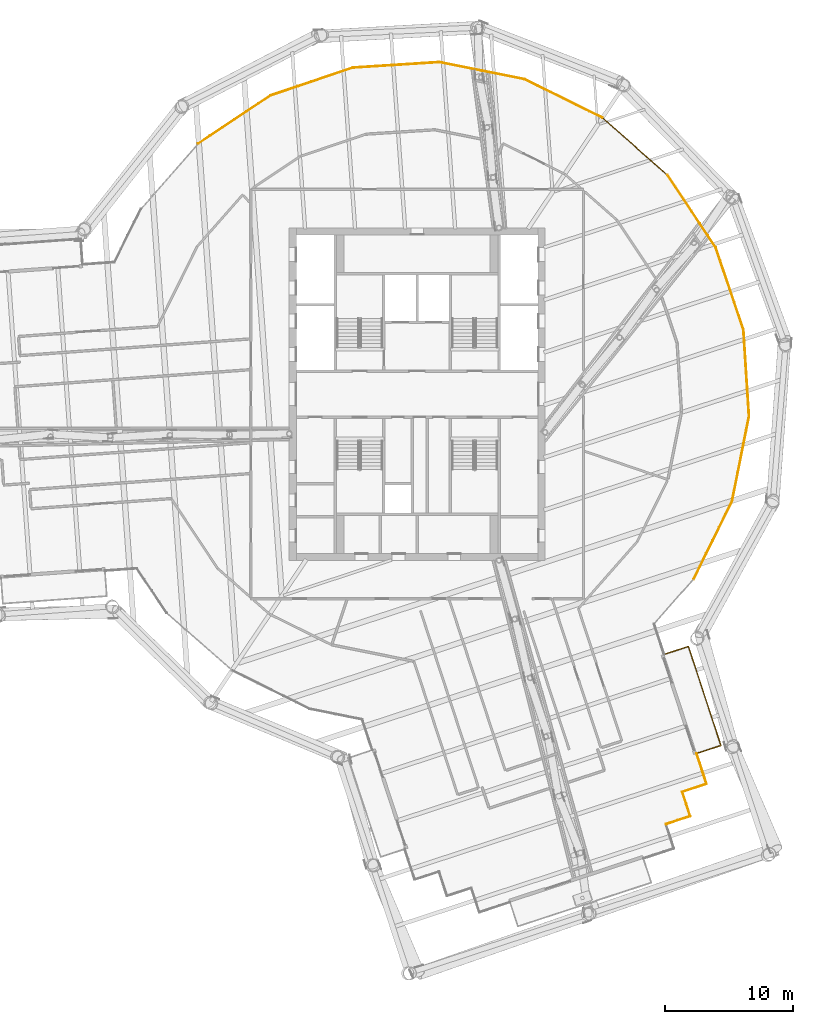
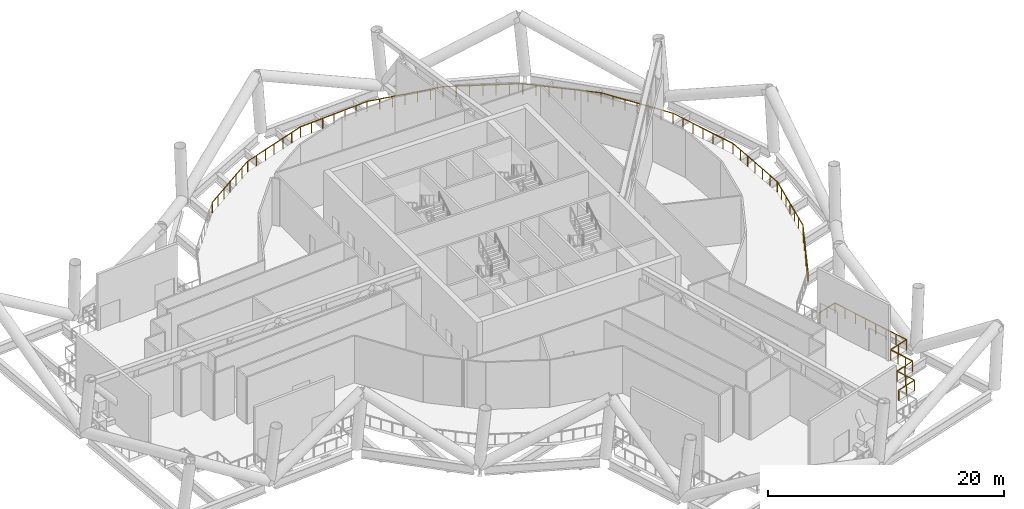
# One storey, part 32 of 33: 16 railings.
"""IFC4 building model written with IfcOpenShell, lengths in metres."""

from ifc_helpers import new_model, si_unit, direction, frame, origin, origin_2d, place, context, subcontext, project, spatial, circle, extrude, material, type_object, element, save


model = new_model("IFC4")

# Units and contexts
model_context = context("Model", 3, precision=1e-05, world=origin(), true_north=direction((0.0, 1.0)))
body_context = subcontext(model_context, "Body", "Model", "MODEL_VIEW")
ifc_project = project(units=[si_unit("LENGTHUNIT", "METRE"), si_unit("AREAUNIT", "SQUARE_METRE"), si_unit("VOLUMEUNIT", "CUBIC_METRE"), si_unit("PLANEANGLEUNIT", "RADIAN"), si_unit("MASSUNIT", "GRAM", prefix="KILO")], contexts=[model_context])

# Site, building, storey
site_placement = place(None, origin())
site = spatial("IfcSite", under=ifc_project, at=site_placement, CompositionType="ELEMENT")
building_placement = place(site_placement, origin())
building = spatial("IfcBuilding", under=site, at=building_placement, Name="Tarsis Ring Headquarters", CompositionType="ELEMENT")
storey_placement = place(building_placement, frame((0.0, 0.0, 302.0)))
storey = spatial("IfcBuildingStorey", under=building, at=storey_placement, Name="L71", CompositionType="ELEMENT", Elevation=302.0)

# Railings
ifc_material = material(Name="Stainless steel guard", Category="steel")
railing_type_1 = type_object("IfcRailingType", Name="Balcony balustrade with mesh infill 1100", PredefinedType="BALUSTRADE", material=ifc_material)
railing_1_placement = place(storey_placement, frame((21.84326171875, -28.09130859375, 0.0)))
element("IfcRailing", 1, at=railing_1_placement, inside=storey, type_object=railing_type_1, Name="Balcony balustrade L71-16", PredefinedType="BALUSTRADE", context=body_context, shape_type="SweptSolid", body=[
    extrude(circle(Radius=0.030029296875, at=origin_2d()), frame((0.0, 0.0, 1.070068359375), z_axis=(0.950198137236, 0.311646434271, 0.0), x_axis=(-0.311646434271, 0.950198137236, 0.0)), (0.0, 0.0, 1.0), 2.0),
    extrude(circle(Radius=0.030029296875, at=origin_2d()), frame((1.900390625, 0.623291015625, 1.070068359375), z_axis=(-0.311668595083, 0.950190868636, 0.0), x_axis=(-0.950190868636, -0.311668595083, 0.0)), (0.0, 0.0, 1.0), 8.1513671875),
    extrude(circle(Radius=0.030029296875, at=origin_2d()), frame((-0.64013671875, 8.36865234375, 1.070068359375), z_axis=(-0.950198137236, -0.311646434271, 0.0), x_axis=(0.311646434271, -0.950198137236, 0.0)), (0.0, 0.0, 1.0), 2.0),
    extrude(circle(Radius=0.02490234375, at=origin_2d()), origin(), (0.0, 0.0, 1.0), 1.0400390625),
    extrude(circle(Radius=0.02490234375, at=origin_2d()), frame((0.9501953125, 0.3115234375, 0.0)), (0.0, 0.0, 1.0), 1.0400390625),
    extrude(circle(Radius=0.02490234375, at=origin_2d()), frame((1.900390625, 0.623291015625, 0.0)), (0.0, 0.0, 1.0), 1.0400390625),
    extrude(circle(Radius=0.02490234375, at=origin_2d()), frame((1.537353515625, 1.729736328125, 0.0)), (0.0, 0.0, 1.0), 1.0400390625),
    extrude(circle(Radius=0.02490234375, at=origin_2d()), frame((1.174560546875, 2.836181640625, 0.0)), (0.0, 0.0, 1.0), 1.0400390625),
    extrude(circle(Radius=0.02490234375, at=origin_2d()), frame((0.8115234375, 3.942626953125, 0.0)), (0.0, 0.0, 1.0), 1.0400390625),
    extrude(circle(Radius=0.02490234375, at=origin_2d()), frame((0.44873046875, 5.04931640625, 0.0)), (0.0, 0.0, 1.0), 1.0400390625),
    extrude(circle(Radius=0.02490234375, at=origin_2d()), frame((0.085693359375, 6.15576171875, 0.0)), (0.0, 0.0, 1.0), 1.0400390625),
    extrude(circle(Radius=0.02490234375, at=origin_2d()), frame((-0.277099609375, 7.26220703125, 0.0)), (0.0, 0.0, 1.0), 1.0400390625),
    extrude(circle(Radius=0.02490234375, at=origin_2d()), frame((-0.64013671875, 8.36865234375, 0.0)), (0.0, 0.0, 1.0), 1.0400390625),
    extrude(circle(Radius=0.02490234375, at=origin_2d()), frame((-1.59033203125, 8.05712890625, 0.0)), (0.0, 0.0, 1.0), 1.0400390625),
    extrude(circle(Radius=0.02490234375, at=origin_2d()), frame((-2.54052734375, 7.745361328125, 0.0)), (0.0, 0.0, 1.0), 1.0400390625),
])
railing_type_2 = type_object("IfcRailingType", Name="Guard rail with mesh infill 1100", PredefinedType="GUARDRAIL", material=ifc_material)
railing_2_placement = place(storey_placement, frame((19.445068359375, -33.61376953125, 0.0)))
element("IfcRailing", 2, at=railing_2_placement, inside=storey, type_object=railing_type_2, Name="Guard L71-13", PredefinedType="GUARDRAIL", context=body_context, shape_type="SweptSolid", body=[
    extrude(circle(Radius=0.030029296875, at=origin_2d()), frame((0.0, 0.0, 1.070068359375), z_axis=(0.950198137236, 0.311646434271, 0.0), x_axis=(-0.311646434271, 0.950198137236, 0.0)), (0.0, 0.0, 1.0), 2.0),
    extrude(circle(Radius=0.02490234375, at=origin_2d()), origin(), (0.0, 0.0, 1.0), 1.0400390625),
    extrude(circle(Radius=0.02490234375, at=origin_2d()), frame((0.9501953125, 0.3115234375, 0.0)), (0.0, 0.0, 1.0), 1.0400390625),
    extrude(circle(Radius=0.02490234375, at=origin_2d()), frame((1.900390625, 0.623291015625, 0.0)), (0.0, 0.0, 1.0), 1.0400390625),
])
railing_3_placement = place(storey_placement, frame((21.345458984375, -32.990478515625, 0.0)))
element("IfcRailing", 3, at=railing_3_placement, inside=storey, type_object=railing_type_2, Name="Guard L71-14", PredefinedType="GUARDRAIL", context=body_context, shape_type="SweptSolid", body=[
    extrude(circle(Radius=0.030029296875, at=origin_2d()), frame((0.0, 0.0, 1.070068359375), z_axis=(-0.311646434271, 0.950198137236, 0.0), x_axis=(-0.950198137236, -0.311646434271, 0.0)), (0.0, 0.0, 1.0), 2.0),
    extrude(circle(Radius=0.02490234375, at=origin_2d()), origin(), (0.0, 0.0, 1.0), 1.0400390625),
    extrude(circle(Radius=0.02490234375, at=origin_2d()), frame((-0.3115234375, 0.9501953125, 0.0)), (0.0, 0.0, 1.0), 1.0400390625),
    extrude(circle(Radius=0.02490234375, at=origin_2d()), frame((-0.623291015625, 1.900390625, 0.0)), (0.0, 0.0, 1.0), 1.0400390625),
])
railing_4_placement = place(storey_placement, frame((20.72216796875, -31.090087890625, 0.0)))
element("IfcRailing", 4, at=railing_4_placement, inside=storey, type_object=railing_type_2, Name="Guard L71-15", PredefinedType="GUARDRAIL", context=body_context, shape_type="SweptSolid", body=[
    extrude(circle(Radius=0.030029296875, at=origin_2d()), frame((0.0, 0.0, 1.070068359375), z_axis=(0.950198137236, 0.311646434271, 0.0), x_axis=(-0.311646434271, 0.950198137236, 0.0)), (0.0, 0.0, 1.0), 2.0),
    extrude(circle(Radius=0.02490234375, at=origin_2d()), origin(), (0.0, 0.0, 1.0), 1.0400390625),
    extrude(circle(Radius=0.02490234375, at=origin_2d()), frame((0.9501953125, 0.3115234375, 0.0)), (0.0, 0.0, 1.0), 1.0400390625),
    extrude(circle(Radius=0.02490234375, at=origin_2d()), frame((1.900390625, 0.623291015625, 0.0)), (0.0, 0.0, 1.0), 1.0400390625),
])
railing_5_placement = place(storey_placement, frame((22.62255859375, -30.466796875, 0.0)))
element("IfcRailing", 5, at=railing_5_placement, inside=storey, type_object=railing_type_2, Name="Guard L71-16a", PredefinedType="GUARDRAIL", context=body_context, shape_type="SweptSolid", body=[
    extrude(circle(Radius=0.030029296875, at=origin_2d()), frame((0.0, 0.0, 1.070068359375), z_axis=(-0.311712560853, 0.95017644646, 0.0), x_axis=(-0.95017644646, -0.311712560853, 0.0)), (0.0, 0.0, 1.0), 2.5),
    extrude(circle(Radius=0.02490234375, at=origin_2d()), origin(), (0.0, 0.0, 1.0), 1.0400390625),
    extrude(circle(Radius=0.02490234375, at=origin_2d()), frame((-0.259765625, 0.791748046875, 0.0)), (0.0, 0.0, 1.0), 1.0400390625),
    extrude(circle(Radius=0.02490234375, at=origin_2d()), frame((-0.51953125, 1.583740234375, 0.0)), (0.0, 0.0, 1.0), 1.0400390625),
    extrude(circle(Radius=0.02490234375, at=origin_2d()), frame((-0.779296875, 2.37548828125, 0.0)), (0.0, 0.0, 1.0), 1.0400390625),
])
railing_6_placement = place(storey_placement, frame((21.595458984375, -14.478759765625, 0.0)))
element("IfcRailing", 6, at=railing_6_placement, inside=storey, type_object=railing_type_2, Name="Guard L71-18", PredefinedType="GUARDRAIL", context=body_context, shape_type="SweptSolid", body=[
    extrude(circle(Radius=0.030029296875, at=origin_2d()), frame((0.0, 0.0, 1.070068359375), z_axis=(0.443685100902, 0.89618275549, 0.0), x_axis=(-0.89618275549, 0.443685100902, 0.0)), (0.0, 0.0, 1.0), 6.787353515625),
    extrude(circle(Radius=0.02490234375, at=origin_2d()), origin(), (0.0, 0.0, 1.0), 1.0400390625),
    extrude(circle(Radius=0.02490234375, at=origin_2d()), frame((0.501953125, 1.013671875, 0.0)), (0.0, 0.0, 1.0), 1.0400390625),
    extrude(circle(Radius=0.02490234375, at=origin_2d()), frame((1.00390625, 2.027587890625, 0.0)), (0.0, 0.0, 1.0), 1.0400390625),
    extrude(circle(Radius=0.02490234375, at=origin_2d()), frame((1.505859375, 3.04150390625, 0.0)), (0.0, 0.0, 1.0), 1.0400390625),
    extrude(circle(Radius=0.02490234375, at=origin_2d()), frame((2.007568359375, 4.05517578125, 0.0)), (0.0, 0.0, 1.0), 1.0400390625),
    extrude(circle(Radius=0.02490234375, at=origin_2d()), frame((2.509521484375, 5.06884765625, 0.0)), (0.0, 0.0, 1.0), 1.0400390625),
    extrude(circle(Radius=0.02490234375, at=origin_2d()), frame((3.011474609375, 6.082763671875, 0.0)), (0.0, 0.0, 1.0), 1.0400390625),
])
railing_7_placement = place(storey_placement, frame((24.60693359375, -8.39599609375, 0.0)))
element("IfcRailing", 7, at=railing_7_placement, inside=storey, type_object=railing_type_2, Name="Guard L71-19", PredefinedType="GUARDRAIL", context=body_context, shape_type="SweptSolid", body=[
    extrude(circle(Radius=0.030029296875, at=origin_2d()), frame((0.0, 0.0, 1.070068359375), z_axis=(0.196648740933, 0.980474004087, 0.0), x_axis=(-0.980474004087, 0.196648740933, 0.0)), (0.0, 0.0, 1.0), 6.787353515625),
    extrude(circle(Radius=0.02490234375, at=origin_2d()), origin(), (0.0, 0.0, 1.0), 1.0400390625),
    extrude(circle(Radius=0.02490234375, at=origin_2d()), frame((0.222412109375, 1.109130859375, 0.0)), (0.0, 0.0, 1.0), 1.0400390625),
    extrude(circle(Radius=0.02490234375, at=origin_2d()), frame((0.44482421875, 2.21826171875, 0.0)), (0.0, 0.0, 1.0), 1.0400390625),
    extrude(circle(Radius=0.02490234375, at=origin_2d()), frame((0.66748046875, 3.327392578125, 0.0)), (0.0, 0.0, 1.0), 1.0400390625),
    extrude(circle(Radius=0.02490234375, at=origin_2d()), frame((0.889892578125, 4.4365234375, 0.0)), (0.0, 0.0, 1.0), 1.0400390625),
    extrude(circle(Radius=0.02490234375, at=origin_2d()), frame((1.1123046875, 5.545654296875, 0.0)), (0.0, 0.0, 1.0), 1.0400390625),
    extrude(circle(Radius=0.02490234375, at=origin_2d()), frame((1.334716796875, 6.65478515625, 0.0)), (0.0, 0.0, 1.0), 1.0400390625),
])
railing_8_placement = place(storey_placement, frame((25.941650390625, -1.7412109375, 0.0)))
element("IfcRailing", 8, at=railing_8_placement, inside=storey, type_object=railing_type_2, Name="Guard L71-20", PredefinedType="GUARDRAIL", context=body_context, shape_type="SweptSolid", body=[
    extrude(circle(Radius=0.030029296875, at=origin_2d()), frame((0.0, 0.0, 1.070068359375), z_axis=(-0.063847261958, 0.997959682122, 0.0), x_axis=(-0.997959682122, -0.063847261958, 0.0)), (0.0, 0.0, 1.0), 6.787353515625),
    extrude(circle(Radius=0.02490234375, at=origin_2d()), origin(), (0.0, 0.0, 1.0), 1.0400390625),
    extrude(circle(Radius=0.02490234375, at=origin_2d()), frame((-0.072265625, 1.12890625, 0.0)), (0.0, 0.0, 1.0), 1.0400390625),
    extrude(circle(Radius=0.02490234375, at=origin_2d()), frame((-0.14453125, 2.2578125, 0.0)), (0.0, 0.0, 1.0), 1.0400390625),
    extrude(circle(Radius=0.02490234375, at=origin_2d()), frame((-0.216796875, 3.38671875, 0.0)), (0.0, 0.0, 1.0), 1.0400390625),
    extrude(circle(Radius=0.02490234375, at=origin_2d()), frame((-0.288818359375, 4.515625, 0.0)), (0.0, 0.0, 1.0), 1.0400390625),
    extrude(circle(Radius=0.02490234375, at=origin_2d()), frame((-0.361083984375, 5.64453125, 0.0)), (0.0, 0.0, 1.0), 1.0400390625),
    extrude(circle(Radius=0.02490234375, at=origin_2d()), frame((-0.433349609375, 6.7734375, 0.0)), (0.0, 0.0, 1.0), 1.0400390625),
])
railing_9_placement = place(storey_placement, frame((25.50830078125, 5.0322265625, 0.0)))
element("IfcRailing", 9, at=railing_9_placement, inside=storey, type_object=railing_type_2, Name="Guard L71-21", PredefinedType="GUARDRAIL", context=body_context, shape_type="SweptSolid", body=[
    extrude(circle(Radius=0.030029296875, at=origin_2d()), frame((0.0, 0.0, 1.070068359375), z_axis=(-0.319948168171, 0.947435047739, 0.0), x_axis=(-0.947435047739, -0.319948168171, 0.0)), (0.0, 0.0, 1.0), 6.787353515625),
    extrude(circle(Radius=0.02490234375, at=origin_2d()), origin(), (0.0, 0.0, 1.0), 1.0400390625),
    extrude(circle(Radius=0.02490234375, at=origin_2d()), frame((-0.36181640625, 1.07177734375, 0.0)), (0.0, 0.0, 1.0), 1.0400390625),
    extrude(circle(Radius=0.02490234375, at=origin_2d()), frame((-0.723876953125, 2.1435546875, 0.0)), (0.0, 0.0, 1.0), 1.0400390625),
    extrude(circle(Radius=0.02490234375, at=origin_2d()), frame((-1.0859375, 3.21533203125, 0.0)), (0.0, 0.0, 1.0), 1.0400390625),
    extrude(circle(Radius=0.02490234375, at=origin_2d()), frame((-1.44775390625, 4.287109375, 0.0)), (0.0, 0.0, 1.0), 1.0400390625),
    extrude(circle(Radius=0.02490234375, at=origin_2d()), frame((-1.8095703125, 5.35888671875, 0.0)), (0.0, 0.0, 1.0), 1.0400390625),
    extrude(circle(Radius=0.02490234375, at=origin_2d()), frame((-2.171630859375, 6.4306640625, 0.0)), (0.0, 0.0, 1.0), 1.0400390625),
])
railing_10_placement = place(storey_placement, frame((23.336669921875, 11.462890625, 0.0)))
element("IfcRailing", 10, at=railing_10_placement, inside=storey, type_object=railing_type_2, Name="Guard L71-22", PredefinedType="GUARDRAIL", context=body_context, shape_type="SweptSolid", body=[
    extrude(circle(Radius=0.030029296875, at=origin_2d()), frame((0.0, 0.0, 1.070068359375), z_axis=(-0.554260179149, 0.832343471056, 0.0), x_axis=(-0.832343471056, -0.554260179149, 0.0)), (0.0, 0.0, 1.0), 6.787353515625),
    extrude(circle(Radius=0.02490234375, at=origin_2d()), origin(), (0.0, 0.0, 1.0), 1.0400390625),
    extrude(circle(Radius=0.02490234375, at=origin_2d()), frame((-0.626953125, 0.941650390625, 0.0)), (0.0, 0.0, 1.0), 1.0400390625),
    extrude(circle(Radius=0.02490234375, at=origin_2d()), frame((-1.25390625, 1.883056640625, 0.0)), (0.0, 0.0, 1.0), 1.0400390625),
    extrude(circle(Radius=0.02490234375, at=origin_2d()), frame((-1.880859375, 2.82470703125, 0.0)), (0.0, 0.0, 1.0), 1.0400390625),
    extrude(circle(Radius=0.02490234375, at=origin_2d()), frame((-2.508056640625, 3.766357421875, 0.0)), (0.0, 0.0, 1.0), 1.0400390625),
    extrude(circle(Radius=0.02490234375, at=origin_2d()), frame((-3.135009765625, 4.707763671875, 0.0)), (0.0, 0.0, 1.0), 1.0400390625),
    extrude(circle(Radius=0.02490234375, at=origin_2d()), frame((-3.761962890625, 5.6494140625, 0.0)), (0.0, 0.0, 1.0), 1.0400390625),
])
railing_11_placement = place(storey_placement, frame((19.57470703125, 17.1123046875, 0.0)))
element("IfcRailing", 11, at=railing_11_placement, inside=storey, type_object=railing_type_2, Name="Guard L71-23", PredefinedType="GUARDRAIL", context=body_context, shape_type="SweptSolid", body=[
    extrude(circle(Radius=0.030029296875, at=origin_2d()), frame((0.0, 0.0, 1.070068359375), z_axis=(-0.750806986644, 0.660521664147, 0.0), x_axis=(-0.660521664147, -0.750806986644, 0.0)), (0.0, 0.0, 1.0), 6.787353515625),
    extrude(circle(Radius=0.02490234375, at=origin_2d()), origin(), (0.0, 0.0, 1.0), 1.0400390625),
    extrude(circle(Radius=0.02490234375, at=origin_2d()), frame((-0.849365234375, 0.7470703125, 0.0)), (0.0, 0.0, 1.0), 1.0400390625),
    extrude(circle(Radius=0.02490234375, at=origin_2d()), frame((-1.69873046875, 1.494384765625, 0.0)), (0.0, 0.0, 1.0), 1.0400390625),
    extrude(circle(Radius=0.02490234375, at=origin_2d()), frame((-2.5478515625, 2.24169921875, 0.0)), (0.0, 0.0, 1.0), 1.0400390625),
    extrude(circle(Radius=0.02490234375, at=origin_2d()), frame((-3.397216796875, 2.98876953125, 0.0)), (0.0, 0.0, 1.0), 1.0400390625),
    extrude(circle(Radius=0.02490234375, at=origin_2d()), frame((-4.24658203125, 3.73583984375, 0.0)), (0.0, 0.0, 1.0), 1.0400390625),
    extrude(circle(Radius=0.02490234375, at=origin_2d()), frame((-5.095947265625, 4.483154296875, 0.0)), (0.0, 0.0, 1.0), 1.0400390625),
])
railing_12_placement = place(storey_placement, frame((14.478759765625, 21.595458984375, 0.0)))
element("IfcRailing", 12, at=railing_12_placement, inside=storey, type_object=railing_type_2, Name="Guard L71-24", PredefinedType="GUARDRAIL", context=body_context, shape_type="SweptSolid", body=[
    extrude(circle(Radius=0.030029296875, at=origin_2d()), frame((0.0, 0.0, 1.070068359375), z_axis=(-0.89618275549, 0.443685100902, 0.0), x_axis=(-0.443685100902, -0.89618275549, 0.0)), (0.0, 0.0, 1.0), 6.787353515625),
    extrude(circle(Radius=0.02490234375, at=origin_2d()), origin(), (0.0, 0.0, 1.0), 1.0400390625),
    extrude(circle(Radius=0.02490234375, at=origin_2d()), frame((-1.013671875, 0.501953125, 0.0)), (0.0, 0.0, 1.0), 1.0400390625),
    extrude(circle(Radius=0.02490234375, at=origin_2d()), frame((-2.027587890625, 1.00390625, 0.0)), (0.0, 0.0, 1.0), 1.0400390625),
    extrude(circle(Radius=0.02490234375, at=origin_2d()), frame((-3.04150390625, 1.505859375, 0.0)), (0.0, 0.0, 1.0), 1.0400390625),
    extrude(circle(Radius=0.02490234375, at=origin_2d()), frame((-4.05517578125, 2.007568359375, 0.0)), (0.0, 0.0, 1.0), 1.0400390625),
    extrude(circle(Radius=0.02490234375, at=origin_2d()), frame((-5.06884765625, 2.509521484375, 0.0)), (0.0, 0.0, 1.0), 1.0400390625),
    extrude(circle(Radius=0.02490234375, at=origin_2d()), frame((-6.082763671875, 3.011474609375, 0.0)), (0.0, 0.0, 1.0), 1.0400390625),
])
railing_13_placement = place(storey_placement, frame((8.39599609375, 24.60693359375, 0.0)))
element("IfcRailing", 13, at=railing_13_placement, inside=storey, type_object=railing_type_2, Name="Guard L71-25", PredefinedType="GUARDRAIL", context=body_context, shape_type="SweptSolid", body=[
    extrude(circle(Radius=0.030029296875, at=origin_2d()), frame((0.0, 0.0, 1.070068359375), z_axis=(-0.980474004087, 0.196648740933, 0.0), x_axis=(-0.196648740933, -0.980474004087, 0.0)), (0.0, 0.0, 1.0), 6.787353515625),
    extrude(circle(Radius=0.02490234375, at=origin_2d()), origin(), (0.0, 0.0, 1.0), 1.0400390625),
    extrude(circle(Radius=0.02490234375, at=origin_2d()), frame((-1.109130859375, 0.222412109375, 0.0)), (0.0, 0.0, 1.0), 1.0400390625),
    extrude(circle(Radius=0.02490234375, at=origin_2d()), frame((-2.21826171875, 0.44482421875, 0.0)), (0.0, 0.0, 1.0), 1.0400390625),
    extrude(circle(Radius=0.02490234375, at=origin_2d()), frame((-3.327392578125, 0.66748046875, 0.0)), (0.0, 0.0, 1.0), 1.0400390625),
    extrude(circle(Radius=0.02490234375, at=origin_2d()), frame((-4.4365234375, 0.889892578125, 0.0)), (0.0, 0.0, 1.0), 1.0400390625),
    extrude(circle(Radius=0.02490234375, at=origin_2d()), frame((-5.545654296875, 1.1123046875, 0.0)), (0.0, 0.0, 1.0), 1.0400390625),
    extrude(circle(Radius=0.02490234375, at=origin_2d()), frame((-6.65478515625, 1.334716796875, 0.0)), (0.0, 0.0, 1.0), 1.0400390625),
])
railing_14_placement = place(storey_placement, frame((1.7412109375, 25.941650390625, 0.0)))
element("IfcRailing", 14, at=railing_14_placement, inside=storey, type_object=railing_type_2, Name="Guard L71-26", PredefinedType="GUARDRAIL", context=body_context, shape_type="SweptSolid", body=[
    extrude(circle(Radius=0.030029296875, at=origin_2d()), frame((0.0, 0.0, 1.070068359375), z_axis=(-0.997959682122, -0.063847261958, 0.0), x_axis=(0.063847261958, -0.997959682122, 0.0)), (0.0, 0.0, 1.0), 6.787353515625),
    extrude(circle(Radius=0.02490234375, at=origin_2d()), origin(), (0.0, 0.0, 1.0), 1.0400390625),
    extrude(circle(Radius=0.02490234375, at=origin_2d()), frame((-1.12890625, -0.072265625, 0.0)), (0.0, 0.0, 1.0), 1.0400390625),
    extrude(circle(Radius=0.02490234375, at=origin_2d()), frame((-2.2578125, -0.14453125, 0.0)), (0.0, 0.0, 1.0), 1.0400390625),
    extrude(circle(Radius=0.02490234375, at=origin_2d()), frame((-3.38671875, -0.216796875, 0.0)), (0.0, 0.0, 1.0), 1.0400390625),
    extrude(circle(Radius=0.02490234375, at=origin_2d()), frame((-4.515625, -0.288818359375, 0.0)), (0.0, 0.0, 1.0), 1.0400390625),
    extrude(circle(Radius=0.02490234375, at=origin_2d()), frame((-5.64453125, -0.361083984375, 0.0)), (0.0, 0.0, 1.0), 1.0400390625),
    extrude(circle(Radius=0.02490234375, at=origin_2d()), frame((-6.7734375, -0.433349609375, 0.0)), (0.0, 0.0, 1.0), 1.0400390625),
])
railing_15_placement = place(storey_placement, frame((-5.0322265625, 25.50830078125, 0.0)))
element("IfcRailing", 15, at=railing_15_placement, inside=storey, type_object=railing_type_2, Name="Guard L71-27", PredefinedType="GUARDRAIL", context=body_context, shape_type="SweptSolid", body=[
    extrude(circle(Radius=0.030029296875, at=origin_2d()), frame((0.0, 0.0, 1.070068359375), z_axis=(-0.947435047739, -0.319948168171, 0.0), x_axis=(0.319948168171, -0.947435047739, 0.0)), (0.0, 0.0, 1.0), 6.787353515625),
    extrude(circle(Radius=0.02490234375, at=origin_2d()), origin(), (0.0, 0.0, 1.0), 1.0400390625),
    extrude(circle(Radius=0.02490234375, at=origin_2d()), frame((-1.07177734375, -0.36181640625, 0.0)), (0.0, 0.0, 1.0), 1.0400390625),
    extrude(circle(Radius=0.02490234375, at=origin_2d()), frame((-2.1435546875, -0.723876953125, 0.0)), (0.0, 0.0, 1.0), 1.0400390625),
    extrude(circle(Radius=0.02490234375, at=origin_2d()), frame((-3.21533203125, -1.0859375, 0.0)), (0.0, 0.0, 1.0), 1.0400390625),
    extrude(circle(Radius=0.02490234375, at=origin_2d()), frame((-4.287109375, -1.44775390625, 0.0)), (0.0, 0.0, 1.0), 1.0400390625),
    extrude(circle(Radius=0.02490234375, at=origin_2d()), frame((-5.35888671875, -1.8095703125, 0.0)), (0.0, 0.0, 1.0), 1.0400390625),
    extrude(circle(Radius=0.02490234375, at=origin_2d()), frame((-6.4306640625, -2.171630859375, 0.0)), (0.0, 0.0, 1.0), 1.0400390625),
])
railing_16_placement = place(storey_placement, frame((-11.462890625, 23.336669921875, 0.0)))
element("IfcRailing", 16, at=railing_16_placement, inside=storey, type_object=railing_type_2, Name="Guard L71-28", PredefinedType="GUARDRAIL", context=body_context, shape_type="SweptSolid", body=[
    extrude(circle(Radius=0.030029296875, at=origin_2d()), frame((0.0, 0.0, 1.070068359375), z_axis=(-0.832343471056, -0.554260179149, 0.0), x_axis=(0.554260179149, -0.832343471056, 0.0)), (0.0, 0.0, 1.0), 6.787353515625),
    extrude(circle(Radius=0.02490234375, at=origin_2d()), origin(), (0.0, 0.0, 1.0), 1.0400390625),
    extrude(circle(Radius=0.02490234375, at=origin_2d()), frame((-0.941650390625, -0.626953125, 0.0)), (0.0, 0.0, 1.0), 1.0400390625),
    extrude(circle(Radius=0.02490234375, at=origin_2d()), frame((-1.883056640625, -1.25390625, 0.0)), (0.0, 0.0, 1.0), 1.0400390625),
    extrude(circle(Radius=0.02490234375, at=origin_2d()), frame((-2.82470703125, -1.880859375, 0.0)), (0.0, 0.0, 1.0), 1.0400390625),
    extrude(circle(Radius=0.02490234375, at=origin_2d()), frame((-3.766357421875, -2.508056640625, 0.0)), (0.0, 0.0, 1.0), 1.0400390625),
    extrude(circle(Radius=0.02490234375, at=origin_2d()), frame((-4.707763671875, -3.135009765625, 0.0)), (0.0, 0.0, 1.0), 1.0400390625),
    extrude(circle(Radius=0.02490234375, at=origin_2d()), frame((-5.6494140625, -3.761962890625, 0.0)), (0.0, 0.0, 1.0), 1.0400390625),
])

save(model, "model.ifc")
